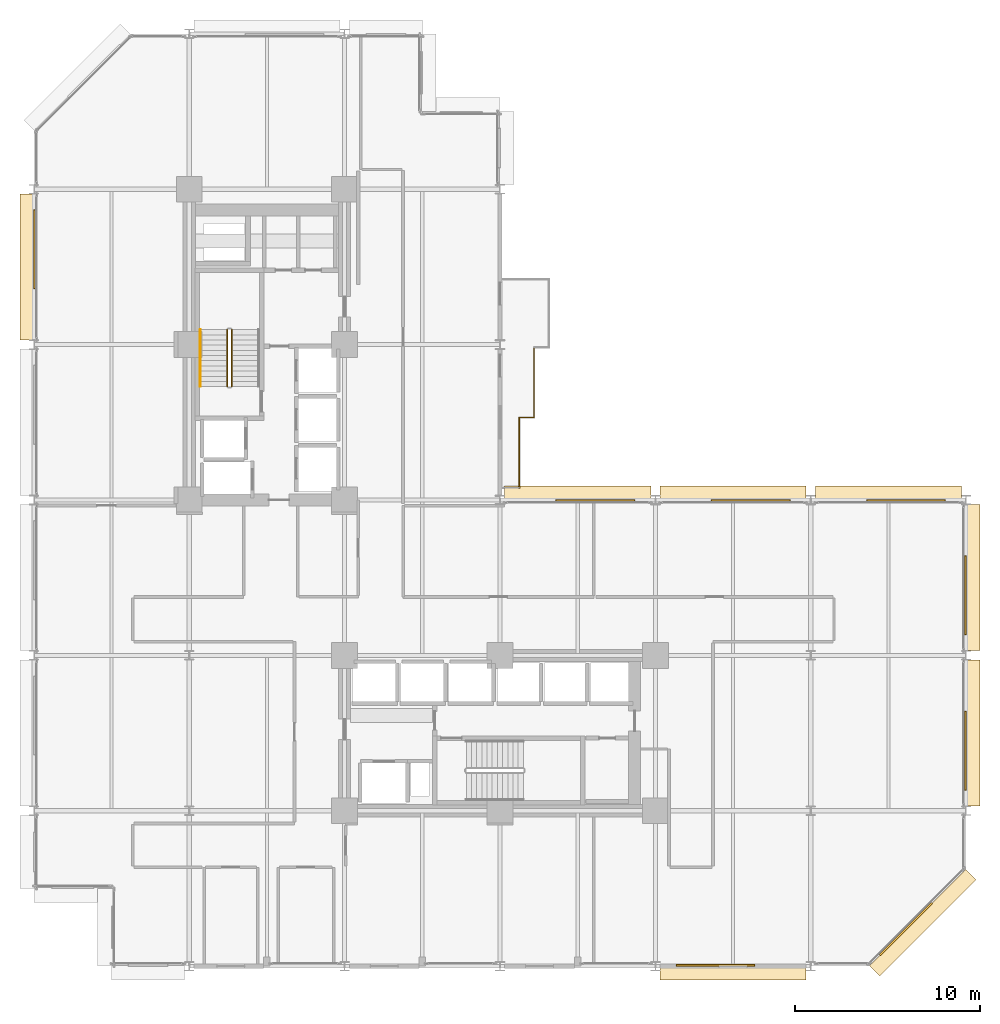
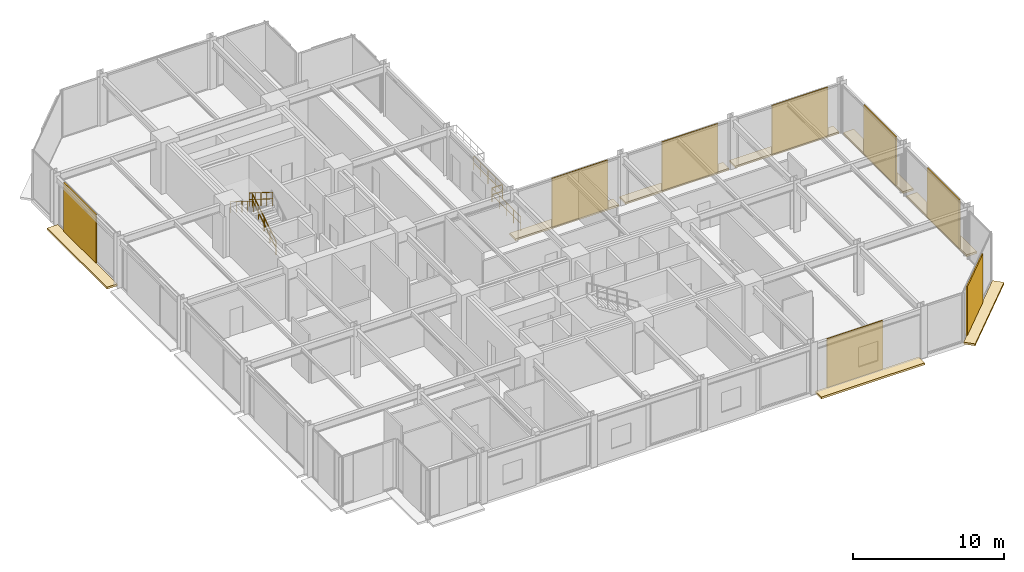
# One storey, part 24 of 25: 16 coverings, 6 railings.
"""IFC4 building model written with IfcOpenShell, lengths in metres."""

from ifc_helpers import new_model, si_unit, direction, frame, origin, origin_2d, place, context, subcontext, project, spatial, polyline, rectangle, circle, outline, extrude, material, layer, layer_set, type_object, element, save


model = new_model("IFC4")

# Units and contexts
model_context = context("Model", 3, precision=1e-05, world=origin(), true_north=direction((0.0, 1.0)))
body_context = subcontext(model_context, "Body", "Model", "MODEL_VIEW")
ifc_project = project(units=[si_unit("LENGTHUNIT", "METRE"), si_unit("AREAUNIT", "SQUARE_METRE"), si_unit("VOLUMEUNIT", "CUBIC_METRE"), si_unit("PLANEANGLEUNIT", "RADIAN"), si_unit("MASSUNIT", "GRAM", prefix="KILO")], contexts=[model_context])

# Site, building, storey
site_placement = place(None, origin())
site = spatial("IfcSite", under=ifc_project, at=site_placement, CompositionType="ELEMENT")
building_placement = place(site_placement, origin())
building = spatial("IfcBuilding", under=site, at=building_placement, Name="Nerrivon Quay Data Exchange", CompositionType="ELEMENT")
storey_placement = place(building_placement, frame((0.0, 0.0, 41.60009765625)))
storey = spatial("IfcBuildingStorey", under=building, at=storey_placement, Name="L09", CompositionType="ELEMENT", Elevation=41.60009765625)

# Coverings
ifc_material_1 = material(Name="Architectural terracotta ceramic", Category="masonry")
ifc_layer_1 = layer(ifc_material_1, 0.159912109375)
ifc_layer_set_1 = layer_set([ifc_layer_1], Name="Architectural terracotta ceramic")
covering_type_1 = type_object("IfcCoveringType", Name="COV-BLD-TERR", PredefinedType="CLADDING", material=ifc_layer_set_1)
covering_1_placement = place(storey_placement, frame((0.0, 0.0, -0.16015625)))
element("IfcCovering", 1, at=covering_1_placement, inside=storey, type_object=covering_type_1, Name="L09 Horizontal Terracotta SOLAR SCREEN Blade", PredefinedType="CLADDING", context=body_context, shape_type="SweptSolid", body=[
    extrude(outline(polyline([(50.37158203125, 5.228271484375), (45.171630859375, 0.0283203125), (45.730224609375, -0.5302734375), (50.930419921875, 4.669677734375), (50.37158203125, 5.228271484375)])), origin(), (0.0, 0.0, 1.0), 0.16015625),
])
covering_2_placement = place(storey_placement, frame((0.0, 0.0, -0.16015625)))
element("IfcCovering", 2, at=covering_2_placement, inside=storey, type_object=covering_type_1, Name="L09 Horizontal Terracotta SOLAR SCREEN Blade", PredefinedType="CLADDING", context=body_context, shape_type="SweptSolid", body=[
    extrude(outline(polyline([(41.75, 0.0400390625), (33.85009765625, 0.0400390625), (33.85009765625, -0.75), (41.75, -0.75), (41.75, 0.0400390625)])), origin(), (0.0, 0.0, 1.0), 0.16015625),
])
covering_3_placement = place(storey_placement, frame((0.0, 0.0, -0.16015625)))
element("IfcCovering", 3, at=covering_3_placement, inside=storey, type_object=covering_type_1, Name="L09 Horizontal Terracotta SOLAR SCREEN Blade", PredefinedType="CLADDING", context=body_context, shape_type="SweptSolid", body=[
    extrude(outline(polyline([(0.0400390625, 33.85009765625), (0.0400390625, 41.75), (-0.75, 41.75), (-0.75, 33.85009765625), (0.0400390625, 33.85009765625)])), origin(), (0.0, 0.0, 1.0), 0.16015625),
])
covering_4_placement = place(storey_placement, frame((0.0, 0.0, -0.16015625)))
element("IfcCovering", 4, at=covering_4_placement, inside=storey, type_object=covering_type_1, Name="L09 Horizontal Terracotta SOLAR SCREEN Blade", PredefinedType="CLADDING", context=body_context, shape_type="SweptSolid", body=[
    extrude(outline(polyline([(25.449951171875, 25.159912109375), (33.35009765625, 25.159912109375), (33.35009765625, 25.949951171875), (25.449951171875, 25.949951171875), (25.449951171875, 25.159912109375)])), origin(), (0.0, 0.0, 1.0), 0.16015625),
])
covering_5_placement = place(storey_placement, frame((0.0, 0.0, -0.16015625)))
element("IfcCovering", 5, at=covering_5_placement, inside=storey, type_object=covering_type_1, Name="L09 Horizontal Terracotta SOLAR SCREEN Blade", PredefinedType="CLADDING", context=body_context, shape_type="SweptSolid", body=[
    extrude(outline(polyline([(33.85009765625, 25.159912109375), (41.75, 25.159912109375), (41.75, 25.949951171875), (33.85009765625, 25.949951171875), (33.85009765625, 25.159912109375)])), origin(), (0.0, 0.0, 1.0), 0.16015625),
])
covering_6_placement = place(storey_placement, frame((0.0, 0.0, -0.16015625)))
element("IfcCovering", 6, at=covering_6_placement, inside=storey, type_object=covering_type_1, Name="L09 Horizontal Terracotta SOLAR SCREEN Blade", PredefinedType="CLADDING", context=body_context, shape_type="SweptSolid", body=[
    extrude(outline(polyline([(42.25, 25.159912109375), (50.14990234375, 25.159912109375), (50.14990234375, 25.949951171875), (42.25, 25.949951171875), (42.25, 25.159912109375)])), origin(), (0.0, 0.0, 1.0), 0.16015625),
])
covering_7_placement = place(storey_placement, frame((0.0, 0.0, -0.16015625)))
element("IfcCovering", 7, at=covering_7_placement, inside=storey, type_object=covering_type_1, Name="L09 Horizontal Terracotta SOLAR SCREEN Blade", PredefinedType="CLADDING", context=body_context, shape_type="SweptSolid", body=[
    extrude(outline(polyline([(50.360107421875, 24.949951171875), (50.360107421875, 17.050048828125), (51.14990234375, 17.050048828125), (51.14990234375, 24.949951171875), (50.360107421875, 24.949951171875)])), origin(), (0.0, 0.0, 1.0), 0.16015625),
])
covering_8_placement = place(storey_placement, frame((0.0, 0.0, -0.16015625)))
element("IfcCovering", 8, at=covering_8_placement, inside=storey, type_object=covering_type_1, Name="L09 Horizontal Terracotta SOLAR SCREEN Blade", PredefinedType="CLADDING", context=body_context, shape_type="SweptSolid", body=[
    extrude(outline(polyline([(50.360107421875, 16.550048828125), (50.360107421875, 8.64990234375), (51.14990234375, 8.64990234375), (51.14990234375, 16.550048828125), (50.360107421875, 16.550048828125)])), origin(), (0.0, 0.0, 1.0), 0.16015625),
])
ifc_layer_2 = layer(ifc_material_1, 0.090087890625)
ifc_layer_set_2 = layer_set([ifc_layer_2], Name="Architectural terracotta ceramic")
covering_type_2 = type_object("IfcCoveringType", Name="COV-SCR-TERR", PredefinedType="CLADDING", material=ifc_layer_set_2)
covering_9_placement = place(storey_placement, frame((47.144287109375, 2.0078125, 0.0), z_axis=(0.0, 0.0, 1.0), x_axis=(-0.707106781187, -0.707106781187, 0.0)))
element("IfcCovering", 9, at=covering_9_placement, inside=storey, type_object=covering_type_2, Name="L09 Perforated Terracotta SOLAR SCREEN Cassette", PredefinedType="CLADDING", context=body_context, shape_type="SweptSolid", body=[
    extrude(rectangle(XDim=3.970947265625, YDim=0.090087890625, at=origin_2d()), origin(), (0.0, 0.0, 1.0), 3.925048828125),
])
for number, where, z_axis, x_axis, name in (
    (10, (36.85205078125, 0.044921875, 0.0), (0.0, 0.0, 1.0), (-1.0, 0.0, 0.0), "L09 Perforated Terracotta SOLAR SCREEN Cassette"),
    (11, (0.044921875, 38.748046875, 0.0), (0.0, 0.0, 1.0), (0.0, 1.0, 0.0), "L09 Perforated Terracotta SOLAR SCREEN Cassette"),
    (12, (30.347900390625, 25.155029296875, 0.0), (0.0, 0.0, 1.0), (1.0, 0.0, 0.0), "L09 Perforated Terracotta SOLAR SCREEN Cassette"),
    (13, (38.748046875, 25.155029296875, 0.0), (0.0, 0.0, 1.0), (1.0, 0.0, 0.0), "L09 Perforated Terracotta SOLAR SCREEN Cassette"),
    (14, (47.14794921875, 25.155029296875, 0.0), (0.0, 0.0, 1.0), (1.0, 0.0, 0.0), "L09 Perforated Terracotta SOLAR SCREEN Cassette"),
    (15, (50.35498046875, 20.052001953125, 0.0), (0.0, 0.0, 1.0), (0.0, -1.0, 0.0), "L09 Perforated Terracotta SOLAR SCREEN Cassette"),
    (16, (50.35498046875, 11.652099609375, 0.0), (0.0, 0.0, 1.0), (0.0, -1.0, 0.0), "L09 Perforated Terracotta SOLAR SCREEN Cassette"),
):
    element("IfcCovering", number, at=place(storey_placement, frame(where, z_axis=z_axis, x_axis=x_axis)), inside=storey, type_object=covering_type_2, Name=name, PredefinedType="CLADDING", context=body_context, shape_type="SweptSolid", body=[
        extrude(rectangle(XDim=4.26611328125, YDim=0.090087890625, at=origin_2d()), origin(), (0.0, 0.0, 1.0), 3.925048828125),
    ])

# Railings
ifc_material_2 = material(Name="Steel Grade C350L0 (350 MPa)", Category="steel")
railing_type_1 = type_object("IfcRailingType", Name="RAIL-GUARD-GR2", PredefinedType="BALUSTRADE", material=ifc_material_2)
railing_1_placement = place(storey_placement, frame((26.239990234375, 29.659912109375, 0.0)))
element("IfcRailing", 17, at=railing_1_placement, inside=storey, type_object=railing_type_1, Name="L09 Verandah Balcony Guard 1.1 1", PredefinedType="BALUSTRADE", context=body_context, shape_type="SweptSolid", body=[
    extrude(circle(Radius=0.02392578125, at=origin_2d()), frame((0.0, 0.0, 1.09619140625), z_axis=(0.0, -1.0, 0.0), x_axis=(1.0, 0.0, 0.0)), (0.0, 0.0, 1.0), 3.7998046875),
    extrude(circle(Radius=0.02392578125, at=origin_2d()), frame((0.0, 0.0, 0.56005859375), z_axis=(0.0, -1.0, 0.0), x_axis=(1.0, 0.0, 0.0)), (0.0, 0.0, 1.0), 3.7998046875),
    extrude(circle(Radius=0.02099609375, at=origin_2d()), origin(), (0.0, 0.0, 1.0), 1.072021484375),
    extrude(circle(Radius=0.02099609375, at=origin_2d()), frame((0.0, -0.949951171875, 0.0)), (0.0, 0.0, 1.0), 1.072021484375),
    extrude(circle(Radius=0.02099609375, at=origin_2d()), frame((0.0, -1.89990234375, 0.0)), (0.0, 0.0, 1.0), 1.072021484375),
    extrude(circle(Radius=0.02099609375, at=origin_2d()), frame((0.0, -2.849853515625, 0.0)), (0.0, 0.0, 1.0), 1.072021484375),
    extrude(circle(Radius=0.02099609375, at=origin_2d()), frame((0.0, -3.7998046875, 0.0)), (0.0, 0.0, 1.0), 1.072021484375),
])
railing_2_placement = place(storey_placement, frame((27.0400390625, 33.4599609375, 0.0)))
element("IfcRailing", 18, at=railing_2_placement, inside=storey, type_object=railing_type_1, Name="L09 Verandah Balcony Guard 1.6 1", PredefinedType="BALUSTRADE", context=body_context, shape_type="SweptSolid", body=[
    extrude(circle(Radius=0.02392578125, at=origin_2d()), frame((0.0, 0.0, 1.09619140625), z_axis=(0.0, -1.0, 0.0), x_axis=(1.0, 0.0, 0.0)), (0.0, 0.0, 1.0), 3.800048828125),
    extrude(circle(Radius=0.02392578125, at=origin_2d()), frame((0.0, 0.0, 0.56005859375), z_axis=(0.0, -1.0, 0.0), x_axis=(1.0, 0.0, 0.0)), (0.0, 0.0, 1.0), 3.800048828125),
    extrude(circle(Radius=0.02099609375, at=origin_2d()), origin(), (0.0, 0.0, 1.0), 1.072021484375),
    extrude(circle(Radius=0.02099609375, at=origin_2d()), frame((0.0, -0.949951171875, 0.0)), (0.0, 0.0, 1.0), 1.072021484375),
    extrude(circle(Radius=0.02099609375, at=origin_2d()), frame((0.0, -1.89990234375, 0.0)), (0.0, 0.0, 1.0), 1.072021484375),
    extrude(circle(Radius=0.02099609375, at=origin_2d()), frame((0.0, -2.85009765625, 0.0)), (0.0, 0.0, 1.0), 1.072021484375),
    extrude(circle(Radius=0.02099609375, at=origin_2d()), frame((0.0, -3.800048828125, 0.0)), (0.0, 0.0, 1.0), 1.072021484375),
])
railing_3_placement = place(storey_placement, frame((27.0400390625, 29.659912109375, 0.0)))
element("IfcRailing", 19, at=railing_3_placement, inside=storey, type_object=railing_type_1, Name="L09 Verandah Balcony Guard 1.7 1", PredefinedType="BALUSTRADE", context=body_context, shape_type="SweptSolid", body=[
    extrude(circle(Radius=0.02392578125, at=origin_2d()), frame((0.0, 0.0, 1.09619140625), z_axis=(-1.0, 0.0, 0.0), x_axis=(0.0, -1.0, 0.0)), (0.0, 0.0, 1.0), 0.800048828125),
    extrude(circle(Radius=0.02392578125, at=origin_2d()), frame((0.0, 0.0, 0.56005859375), z_axis=(-1.0, 0.0, 0.0), x_axis=(0.0, -1.0, 0.0)), (0.0, 0.0, 1.0), 0.800048828125),
    extrude(circle(Radius=0.02099609375, at=origin_2d()), origin(), (0.0, 0.0, 1.0), 1.072021484375),
    extrude(circle(Radius=0.02099609375, at=origin_2d()), frame((-0.800048828125, 0.0, 0.0)), (0.0, 0.0, 1.0), 1.072021484375),
])
railing_type_2 = type_object("IfcRailingType", Name="RAIL-HAND-HR1", PredefinedType="HANDRAIL", material=ifc_material_2)
railing_4_placement = place(storey_placement, frame((9.0, 34.409912109375, 2.27490234375)))
element("IfcRailing", 20, at=railing_4_placement, inside=storey, type_object=railing_type_2, Name="L09 ST01 stair handrail 2", PredefinedType="HANDRAIL", context=body_context, shape_type="SweptSolid", body=[
    extrude(circle(Radius=0.02392578125, at=origin_2d()), frame((0.0, 0.0, 0.8759765625), z_axis=(0.0, -0.847979421464, 0.530029150871), x_axis=(1.0, 0.0, 0.0)), (0.0, 0.0, 1.0), 3.632080078125),
    extrude(circle(Radius=0.02099609375, at=origin_2d()), origin(), (0.0, 0.0, 1.0), 0.851806640625),
    extrude(circle(Radius=0.02099609375, at=origin_2d()), frame((0.0, -0.77001953125, 0.481201171875)), (0.0, 0.0, 1.0), 0.851806640625),
    extrude(circle(Radius=0.02099609375, at=origin_2d()), frame((0.0, -1.5400390625, 0.96240234375)), (0.0, 0.0, 1.0), 0.851806640625),
    extrude(circle(Radius=0.02099609375, at=origin_2d()), frame((0.0, -2.309814453125, 1.44384765625)), (0.0, 0.0, 1.0), 0.851806640625),
    extrude(circle(Radius=0.02099609375, at=origin_2d()), frame((0.0, -3.079833984375, 1.925048828125)), (0.0, 0.0, 1.0), 0.851806640625),
])
railing_type_3 = type_object("IfcRailingType", Name="RAIL-STAIR-GR1", PredefinedType="BALUSTRADE", material=ifc_material_2)
railing_5_placement = place(storey_placement, frame((10.699951171875, 31.330078125, 0.1748046875)))
element("IfcRailing", 21, at=railing_5_placement, inside=storey, type_object=railing_type_3, Name="L09 ST01 stair guard 1", PredefinedType="BALUSTRADE", context=body_context, shape_type="SweptSolid", body=[
    extrude(circle(Radius=0.02392578125, at=origin_2d()), frame((0.0, 0.0, 1.076171875), z_axis=(0.0, 0.847979421464, 0.530029150871), x_axis=(-1.0, 0.0, 0.0)), (0.0, 0.0, 1.0), 3.632080078125),
    extrude(circle(Radius=0.02392578125, at=origin_2d()), frame((0.0, 0.0, 0.550048828125), z_axis=(0.0, 0.847979421464, 0.530029150871), x_axis=(-1.0, 0.0, 0.0)), (0.0, 0.0, 1.0), 3.632080078125),
    extrude(circle(Radius=0.02099609375, at=origin_2d()), origin(), (0.0, 0.0, 1.0), 1.052001953125),
    extrude(circle(Radius=0.02099609375, at=origin_2d()), frame((0.0, 0.77001953125, 0.481201171875)), (0.0, 0.0, 1.0), 1.052001953125),
    extrude(circle(Radius=0.02099609375, at=origin_2d()), frame((0.0, 1.5400390625, 0.96240234375)), (0.0, 0.0, 1.0), 1.052001953125),
    extrude(circle(Radius=0.02099609375, at=origin_2d()), frame((0.0, 2.309814453125, 1.44384765625)), (0.0, 0.0, 1.0), 1.052001953125),
    extrude(circle(Radius=0.02099609375, at=origin_2d()), frame((0.0, 3.079833984375, 1.925048828125)), (0.0, 0.0, 1.0), 1.052001953125),
])
railing_6_placement = place(storey_placement, frame((10.449951171875, 34.409912109375, 2.27490234375)))
element("IfcRailing", 22, at=railing_6_placement, inside=storey, type_object=railing_type_3, Name="L09 ST01 stair guard 3", PredefinedType="BALUSTRADE", context=body_context, shape_type="SweptSolid", body=[
    extrude(circle(Radius=0.02392578125, at=origin_2d()), frame((0.0, 0.0, 1.076171875), z_axis=(0.0, -0.847979421464, 0.530029150871), x_axis=(1.0, 0.0, 0.0)), (0.0, 0.0, 1.0), 3.632080078125),
    extrude(circle(Radius=0.02392578125, at=origin_2d()), frame((0.0, 0.0, 0.550048828125), z_axis=(0.0, -0.847979421464, 0.530029150871), x_axis=(1.0, 0.0, 0.0)), (0.0, 0.0, 1.0), 3.632080078125),
    extrude(circle(Radius=0.02099609375, at=origin_2d()), origin(), (0.0, 0.0, 1.0), 1.052001953125),
    extrude(circle(Radius=0.02099609375, at=origin_2d()), frame((0.0, -0.77001953125, 0.481201171875)), (0.0, 0.0, 1.0), 1.052001953125),
    extrude(circle(Radius=0.02099609375, at=origin_2d()), frame((0.0, -1.5400390625, 0.96240234375)), (0.0, 0.0, 1.0), 1.052001953125),
    extrude(circle(Radius=0.02099609375, at=origin_2d()), frame((0.0, -2.309814453125, 1.44384765625)), (0.0, 0.0, 1.0), 1.052001953125),
    extrude(circle(Radius=0.02099609375, at=origin_2d()), frame((0.0, -3.079833984375, 1.925048828125)), (0.0, 0.0, 1.0), 1.052001953125),
])

save(model, "model.ifc")
